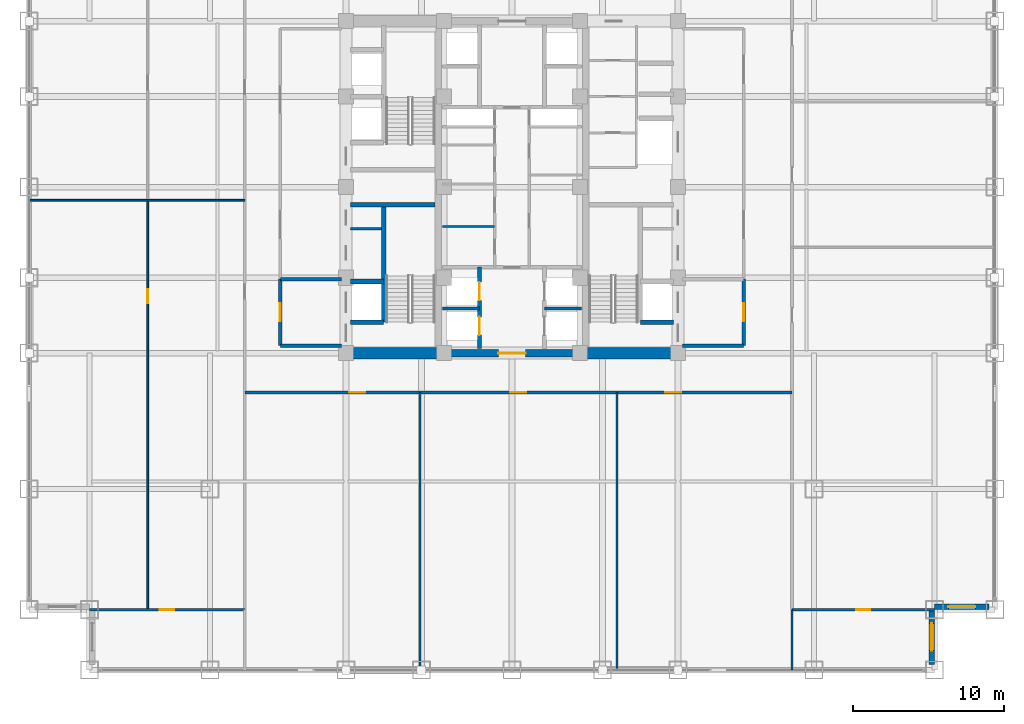
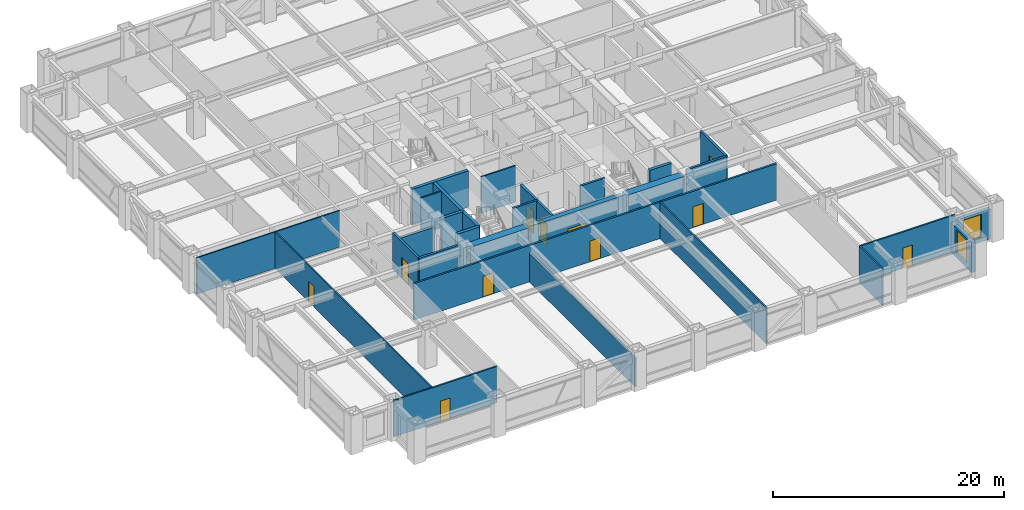
# One storey, part 23 of 27: 28 walls, 11 doors, 2 windows, 13 openings.
"""IFC4 building model written with IfcOpenShell, lengths in metres."""

import ifcopenshell
import ifcopenshell.guid

model = None  # the IFC model being written
_history = None  # IfcOwnerHistory: only IFC2X3 demands one
_inside = {}  # id of a spatial element -> (the spatial element, [elements in it])
_under = {}  # id of a project, library or spatial element -> (it, [spatial elements below it])
_declared = {}  # id of a project -> (the project, [libraries it declares])
_typed = {}  # id of a type object -> (the type object, [elements of that type])
_made_of = {}  # id of a material, layer set ... -> (it, [elements and type objects made of it])


def new_model(schema):
    """Start an empty IFC model of exactly this schema.

    Asked for "IFC4X3", IfcOpenShell would pick the latest addendum, in which some entities
    have other attributes; the version numbers below select the first issue.
    IFC2X3 requires an IfcOwnerHistory on every rooted entity: one is made here for all.
    """
    global model, _history
    if schema == "IFC4X3":
        model = ifcopenshell.file(schema_version=(4, 3, 0, 0))
    else:
        model = ifcopenshell.file(schema=schema)
    _inside.clear()
    _under.clear()
    _declared.clear()
    _typed.clear()
    _made_of.clear()
    _history = None
    if model.schema == "IFC2X3":
        org = make("IfcOrganization", Name="unknown")
        user = make(
            "IfcPersonAndOrganization",
            ThePerson=make("IfcPerson", FamilyName="unknown"),
            TheOrganization=org,
        )
        app = make(
            "IfcApplication",
            ApplicationDeveloper=org,
            Version="unknown",
            ApplicationFullName="unknown",
            ApplicationIdentifier="unknown",
        )
        _history = make(
            "IfcOwnerHistory",
            OwningUser=user,
            OwningApplication=app,
            ChangeAction="ADDED",
            CreationDate=0,
        )
    return model


def make(cls, **values):
    """One entity of the class cls with the attributes given. An attribute that is None is left unset."""
    return model.create_entity(
        cls, **{name: value for name, value in values.items() if value is not None}
    )


def rooted(cls, **values):
    """An entity with a GlobalId (a new one), such as an element, a storey or a relation."""
    return make(cls, GlobalId=ifcopenshell.guid.new(), OwnerHistory=_history, **values)


def si_unit(unit_type, name, prefix=None):
    """IfcSIUnit, for example si_unit("LENGTHUNIT", "METRE", prefix="MILLI")."""
    return make("IfcSIUnit", UnitType=unit_type, Prefix=prefix, Name=name)


def assignment(units):
    """IfcUnitAssignment: the units of a project."""
    return None if units is None else make("IfcUnitAssignment", Units=units)


def point(xyz):
    """IfcCartesianPoint."""
    return None if xyz is None else make("IfcCartesianPoint", Coordinates=xyz)


def direction(xyz):
    """IfcDirection."""
    return None if xyz is None else make("IfcDirection", DirectionRatios=xyz)


def frame(location, z_axis=None, x_axis=None):
    """IfcAxis2Placement3D, a coordinate frame: its origin and axes. An axis left out is left unset."""
    return make(
        "IfcAxis2Placement3D",
        Location=point(location),
        Axis=direction(z_axis),
        RefDirection=direction(x_axis),
    )


def frame_2d(location, x_axis=None):
    """IfcAxis2Placement2D, a coordinate frame in the plane: its origin and x axis."""
    return make(
        "IfcAxis2Placement2D", Location=point(location), RefDirection=direction(x_axis)
    )


def origin():
    """The frame at (0, 0, 0) with its axes left unset."""
    return frame((0.0, 0.0, 0.0))


def place(relative_to, where):
    """IfcLocalPlacement: puts the frame where relative to a parent placement (None: the world)."""
    return make(
        "IfcLocalPlacement", PlacementRelTo=relative_to, RelativePlacement=where
    )


def context(
    kind, dimensions, precision=None, world=None, true_north=None, identifier=None
):
    """IfcGeometricRepresentationContext, for example the 3D "Model" context."""
    return make(
        "IfcGeometricRepresentationContext",
        ContextIdentifier=identifier,
        ContextType=kind,
        CoordinateSpaceDimension=dimensions,
        Precision=precision,
        WorldCoordinateSystem=world,
        TrueNorth=true_north,
    )


def subcontext(parent, identifier, kind, view, scale=None):
    """IfcGeometricRepresentationSubContext, for example "Body" below "Model"."""
    return make(
        "IfcGeometricRepresentationSubContext",
        ContextIdentifier=identifier,
        ContextType=kind,
        ParentContext=parent,
        TargetScale=scale,
        TargetView=view,
    )


def project(units=None, contexts=None):
    """IfcProject with its units and contexts."""
    return rooted(
        "IfcProject",
        Name="project",
        RepresentationContexts=contexts,
        UnitsInContext=assignment(units),
    )


def spatial(cls, under=None, at=None, **own):
    """A site, building, storey or space (cls), placed at a placement, below another one or the project."""
    s = rooted(cls, ObjectPlacement=at, **own)
    if under is not None:
        _under.setdefault(under.id(), (under, []))[1].append(s)
    return s


def profile(cls, at=None, kind="AREA", **sizes):
    """A parametric profile (cls). Its sizes go by their IFC names, for example OverallWidth=200.0."""
    return make(cls, ProfileType=kind, Position=at, **sizes)


def rectangle(**sizes):
    """IfcRectangleProfileDef."""
    return profile("IfcRectangleProfileDef", **sizes)


def extrude(swept, where, along, depth):
    """IfcExtrudedAreaSolid: the profile swept, set in the frame where, extruded along a direction by depth."""
    return make(
        "IfcExtrudedAreaSolid",
        SweptArea=swept,
        Position=where,
        ExtrudedDirection=direction(along),
        Depth=depth,
    )


def shape(context_of_items, identifier, shape_type, items):
    """IfcShapeRepresentation: the items that make up one representation, for example the "Body"."""
    return make(
        "IfcShapeRepresentation",
        ContextOfItems=context_of_items,
        RepresentationIdentifier=identifier,
        RepresentationType=shape_type,
        Items=items,
    )


def source(mapping_origin, context_of_items, identifier, shape_type, items):
    """IfcRepresentationMap: a shape defined once, which mapped items show again and again."""
    return make(
        "IfcRepresentationMap",
        MappingOrigin=mapping_origin,
        MappedRepresentation=shape(context_of_items, identifier, shape_type, items),
    )


def transform(
    local_origin,
    x_axis=None,
    y_axis=None,
    z_axis=None,
    scale=None,
    scale2=None,
    scale3=None,
    uniform=True,
):
    """IfcCartesianTransformationOperator3D, or its non-uniform kind. x_axis, y_axis, z_axis: its Axis1, 2, 3."""
    if uniform:
        return make(
            "IfcCartesianTransformationOperator3D",
            Axis1=direction(x_axis),
            Axis2=direction(y_axis),
            LocalOrigin=point(local_origin),
            Scale=scale,
            Axis3=direction(z_axis),
        )
    return make(
        "IfcCartesianTransformationOperator3DnonUniform",
        Axis1=direction(x_axis),
        Axis2=direction(y_axis),
        LocalOrigin=point(local_origin),
        Scale=scale,
        Axis3=direction(z_axis),
        Scale2=scale2,
        Scale3=scale3,
    )


def mapped(mapping_source, mapping_target):
    """IfcMappedItem: shows the shape of a source again, moved by a transform."""
    return make(
        "IfcMappedItem", MappingSource=mapping_source, MappingTarget=mapping_target
    )


def material(Name=None, Category=None):
    """IfcMaterial."""
    return make("IfcMaterial", Name=Name, Category=Category)


def layer(
    of_material, thickness, ventilated=None, Name=None, Category=None, Priority=None
):
    """IfcMaterialLayer: one layer of a wall or slab, of a material (None: an air gap)."""
    return make(
        "IfcMaterialLayer",
        Material=of_material,
        LayerThickness=thickness,
        IsVentilated=ventilated,
        Name=Name,
        Category=Category,
        Priority=Priority,
    )


def layer_set(layers, Name=None):
    """IfcMaterialLayerSet."""
    return make("IfcMaterialLayerSet", MaterialLayers=layers, LayerSetName=Name)


def made_of(thing, what):
    """Note that an element or type object is made of a material, layer set ...; save() writes the relation."""
    if what is not None:
        _made_of.setdefault(what.id(), (what, []))[1].append(thing)
    return thing


def type_object(cls, material=None, **own):
    """A type object (cls), such as IfcWallType, which elements share."""
    return made_of(rooted(cls, **own), material)


def element(
    cls,
    number,
    at=None,
    inside=None,
    cuts=None,
    type_object=None,
    material=None,
    context=None,
    identifier="Body",
    shape_type=None,
    held_by="IfcProductDefinitionShape",
    body=None,
    shapes=None,
    **own,
):
    """One element of the class cls, such as IfcWall. Its Tag is "e" and its number.

    at: its placement. inside: the storey or other place that contains it. cuts: it is an
    opening in that element (IfcRelVoidsElement). A single representation is given by context,
    identifier, shape_type and body (its items); several are given by shapes. held_by: the class
    of the entity that holds the representations. save() writes the other relations.
    """
    e = rooted(cls, Tag="e%d" % number, ObjectPlacement=at, **own)
    if body is not None:
        shapes = [shape(context, identifier, shape_type, body)]
    if shapes is not None:
        e.Representation = make(held_by, Representations=shapes)
    if inside is not None:
        _inside.setdefault(inside.id(), (inside, []))[1].append(e)
    if cuts is not None:
        rooted(
            "IfcRelVoidsElement", RelatingBuildingElement=cuts, RelatedOpeningElement=e
        )
    if type_object is not None:
        _typed.setdefault(type_object.id(), (type_object, []))[1].append(e)
    return made_of(e, material)


def fill(opening, filler):
    """IfcRelFillsElement: the door or window that sits in an opening."""
    return rooted(
        "IfcRelFillsElement",
        RelatingOpeningElement=opening,
        RelatedBuildingElement=filler,
    )


def aggregate(whole, parts):
    """IfcRelAggregates: a whole, such as a stair, and the parts it consists of."""
    return rooted("IfcRelAggregates", RelatingObject=whole, RelatedObjects=parts)


def save(model, path):
    """Write the relations noted so far, then the file.

    IfcRelAggregates (storeys below a building ...), IfcRelContainedInSpatialStructure (elements
    in a storey), IfcRelDefinesByType, IfcRelAssociatesMaterial and IfcRelDeclares: one each for
    every whole, place, type object, material and project.
    """
    for whole, parts in _under.values():
        aggregate(whole, parts)
    for where, things in _inside.values():
        rooted(
            "IfcRelContainedInSpatialStructure",
            RelatedElements=things,
            RelatingStructure=where,
        )
    for kind, things in _typed.values():
        rooted("IfcRelDefinesByType", RelatedObjects=things, RelatingType=kind)
    for what, things in _made_of.values():
        rooted("IfcRelAssociatesMaterial", RelatedObjects=things, RelatingMaterial=what)
    for by, libraries in _declared.values():
        rooted("IfcRelDeclares", RelatingContext=by, RelatedDefinitions=libraries)
    model.write(path)


model = new_model("IFC4")

# Units and contexts
model_context = context("Model", 3, precision=1e-05, world=origin(), true_north=direction((0.0, 1.0)))
body_context = subcontext(model_context, "Body", "Model", "MODEL_VIEW")
ifc_project = project(units=[si_unit("LENGTHUNIT", "METRE"), si_unit("AREAUNIT", "SQUARE_METRE"), si_unit("VOLUMEUNIT", "CUBIC_METRE"), si_unit("PLANEANGLEUNIT", "RADIAN"), si_unit("MASSUNIT", "GRAM", prefix="KILO")], contexts=[model_context])

# Site, building, storey
site_placement = place(None, origin())
site = spatial("IfcSite", under=ifc_project, at=site_placement, CompositionType="ELEMENT")
building_placement = place(site_placement, origin())
building = spatial("IfcBuilding", under=site, at=building_placement, Name="Khorayat Bourse Tower", CompositionType="ELEMENT")
storey_placement = place(building_placement, frame((0.0, 0.0, 103.699951171875)))
storey = spatial("IfcBuildingStorey", under=building, at=storey_placement, Name="L23", CompositionType="ELEMENT", Elevation=103.699951171875)

# Walls
ifc_material_1 = material(Name="Concrete C72/90", Category="concrete")
ifc_layer_1 = layer(ifc_material_1, 0.75)
ifc_layer_set_1 = layer_set([ifc_layer_1], Name="Concrete C72/90")
wall_type_1 = type_object("IfcWallType", Name="WAL-CORE-750", PredefinedType="SHEAR", material=ifc_layer_set_1)
shared_shape_1 = source(origin(), body_context, "Body", "SweptSolid", [
    extrude(rectangle(XDim=5.849853515625, YDim=0.75, at=frame_2d((2.9248046875, 0.0))), origin(), (0.0, 0.0, 1.0), 3.840087890625),
])
for number, where, z_axis, x_axis, name in (
    (1, (-10.699951171875, -11.0, 0.0), (0.0, 0.0, 1.0), (1.0, 0.0, 0.0), "L23 Core Shear Wall PIER-WS"),
    (2, (4.85009765625, -11.0, 0.0), (0.0, 0.0, 1.0), (1.0, 0.0, 0.0), "L23 Core Shear Wall PIER-ES"),
):
    element("IfcWall", number, at=place(storey_placement, frame(where, z_axis=z_axis, x_axis=x_axis)), inside=storey, type_object=wall_type_1, Name=name, PredefinedType="SHEAR", context=body_context, shape_type="MappedRepresentation", body=[
        mapped(shared_shape_1, transform((0.0, 0.0, 0.0), scale=1.0)),
    ])
ifc_material_2 = material(Name="Concrete C50/60", Category="concrete")
ifc_layer_2 = layer(ifc_material_2, 0.300048828125)
ifc_layer_set_2 = layer_set([ifc_layer_2], Name="Concrete C50/60")
wall_type_2 = type_object("IfcWallType", Name="WAL-SHAFT-300", PredefinedType="SHEAR", material=ifc_layer_set_2)
shared_shape_2 = source(origin(), body_context, "Body", "SweptSolid", [
    extrude(rectangle(XDim=5.599853515625, YDim=0.300048828125, at=frame_2d((2.7998046875, 0.0))), origin(), (0.0, 0.0, 1.0), 3.840087890625),
])
wall_1_placement = place(storey_placement, frame((-10.699951171875, -1.14990234375, 0.0), z_axis=(0.0, 0.0, 1.0), x_axis=(1.0, 0.0, 0.0)))
element("IfcWall", 3, at=wall_1_placement, inside=storey, type_object=wall_type_2, Name="L23 Core Shear Wall ST1-DIV", PredefinedType="SHEAR", context=body_context, shape_type="MappedRepresentation", body=[
    mapped(shared_shape_2, transform((0.0, 0.0, 0.0), scale=1.0)),
])

# Wall, opening, door
ifc_material_3 = material(Name="Concrete C52/65", Category="concrete")
ifc_layer_3 = layer(ifc_material_3, 0.5)
ifc_layer_set_3 = layer_set([ifc_layer_3], Name="Concrete C52/65")
wall_type_3 = type_object("IfcWallType", Name="WAL-CORE-500", PredefinedType="SHEAR", material=ifc_layer_set_3)
shared_shape_3 = source(origin(), body_context, "Body", "SweptSolid", [
    extrude(rectangle(XDim=9.2001953125, YDim=0.5, at=frame_2d((4.60009765625, 0.0))), origin(), (0.0, 0.0, 1.0), 3.840087890625),
])
wall_2_placement = place(storey_placement, frame((-4.60009765625, -11.0, 0.0), z_axis=(0.0, 0.0, 1.0), x_axis=(1.0, 0.0, 0.0)))
wall_2 = element("IfcWall", 4, at=wall_2_placement, inside=storey, type_object=wall_type_3, Name="L23 Core Shear Wall CORE-S", PredefinedType="SHEAR", context=body_context, shape_type="MappedRepresentation", body=[
    mapped(shared_shape_3, transform((0.0, 0.0, 0.0), scale=1.0)),
])
shared_shape_4 = source(origin(), body_context, "Body", "SweptSolid", [
    extrude(rectangle(XDim=1.800048828125, YDim=2.25, at=frame_2d((0.89990234375, 1.125))), frame((0.0, 0.260009765625, 0.0), z_axis=(0.0, -1.0, 0.0), x_axis=(1.0, 0.0, 0.0)), (0.0, 0.0, 1.0), 0.52001953125),
])
opening_1_placement = place(wall_2_placement, frame((3.699951171875, 0.0, 0.0)))
opening_1 = element("IfcOpeningElement", 5, at=opening_1_placement, cuts=wall_2, Name="Opening DI-03", PredefinedType="OPENING", context=body_context, shape_type="MappedRepresentation", body=[
    mapped(shared_shape_4, transform((0.0, 0.0, 0.0), scale=1.0)),
])
ifc_material_4 = material(Name="Fire-rated hardwood vision-panel double leaf", Category="wood")
door_type_1 = type_object("IfcDoorType", Name="DR-INT-CORR-1800", OperationType="NOTDEFINED", PredefinedType="DOOR", material=ifc_material_4)
shared_shape_5 = source(origin(), body_context, "Body", "SweptSolid", [
    extrude(rectangle(XDim=1.800048828125, YDim=2.25, at=frame_2d((0.89990234375, 1.125))), frame((0.0, 0.02490234375, 0.0), z_axis=(0.0, -1.0, 0.0), x_axis=(1.0, 0.0, 0.0)), (0.0, 0.0, 1.0), 0.050048828125),
])
door_1_placement = place(opening_1_placement, origin())
door_1 = element("IfcDoor", 6, at=door_1_placement, inside=storey, type_object=door_type_1, Name="L23 Low-Rise Lift Lobby Door", OperationType="SINGLE_SWING_LEFT", OverallHeight=2.25, OverallWidth=1.800048828125, PredefinedType="DOOR", context=body_context, shape_type="MappedRepresentation", body=[
    mapped(shared_shape_5, transform((0.0, 0.0, 0.0), scale=1.0)),
])
fill(opening_1, door_1)

# Wall, opening, window
ifc_material_5 = material(Name="Precast concrete C45/55", Category="concrete")
ifc_layer_4 = layer(ifc_material_5, 0.3798828125)
ifc_layer_set_4 = layer_set([ifc_layer_4], Name="Precast concrete C45/55")
wall_type_4 = type_object("IfcWallType", Name="WAL-EXT-STONE-380", PredefinedType="STANDARD", material=ifc_layer_set_4)
shared_shape_6 = source(origin(), body_context, "Body", "SweptSolid", [
    extrude(rectangle(XDim=3.6201171875, YDim=0.3798828125, at=frame_2d((1.81005859375, 0.0))), origin(), (0.0, 0.0, 1.0), 3.14501953125),
])
wall_3_placement = place(storey_placement, frame((27.81005859375, -31.6201171875, 0.0), z_axis=(0.0, 0.0, 1.0), x_axis=(0.0, 1.0, 0.0)))
wall_3 = element("IfcWall", 7, at=wall_3_placement, inside=storey, type_object=wall_type_4, Name="L23 Re-Entrant Notch Limestone Wall SE-V", PredefinedType="STANDARD", context=body_context, shape_type="MappedRepresentation", body=[
    mapped(shared_shape_6, transform((0.0, 0.0, 0.0), scale=1.0)),
])
shared_shape_7 = source(origin(), body_context, "Body", "SweptSolid", [
    extrude(rectangle(XDim=1.800048828125, YDim=2.39990234375, at=frame_2d((0.89990234375, 1.199951171875))), frame((0.0, 0.199951171875, 0.0), z_axis=(0.0, -1.0, 0.0), x_axis=(1.0, 0.0, 0.0)), (0.0, 0.0, 1.0), 0.39990234375),
])
opening_2_placement = place(wall_3_placement, frame((0.909912109375, 0.0, 0.5)))
opening_2 = element("IfcOpeningElement", 8, at=opening_2_placement, cuts=wall_3, Name="Opening WN-04", PredefinedType="OPENING", context=body_context, shape_type="MappedRepresentation", body=[
    mapped(shared_shape_7, transform((0.0, 0.0, 0.0), scale=1.0)),
])
ifc_material_6 = material(Name="Low-E acoustic laminated double glazing", Category="glass")
window_type = type_object("IfcWindowType", Name="WIN-NOTCH-1800x2400", PartitioningType="SINGLE_PANEL", PredefinedType="WINDOW", material=ifc_material_6)
shared_shape_8 = source(origin(), body_context, "Body", "SweptSolid", [
    extrude(rectangle(XDim=1.800048828125, YDim=2.39990234375, at=frame_2d((0.89990234375, 1.199951171875))), frame((0.0, 0.030029296875, 0.0), z_axis=(0.0, -1.0, 0.0), x_axis=(1.0, 0.0, 0.0)), (0.0, 0.0, 1.0), 0.06005859375),
])
window_1_placement = place(opening_2_placement, origin())
window_1 = element("IfcWindow", 9, at=window_1_placement, inside=storey, type_object=window_type, Name="L23 Facade Window 1", OverallHeight=2.39990234375, OverallWidth=1.800048828125, PartitioningType="SINGLE_PANEL", PredefinedType="WINDOW", context=body_context, shape_type="MappedRepresentation", body=[
    mapped(shared_shape_8, transform((0.0, 0.0, 0.0), scale=1.0)),
])
fill(opening_2, window_1)

wall_4_placement = place(storey_placement, frame((28.0, -27.81005859375, 0.0), z_axis=(0.0, 0.0, 1.0), x_axis=(1.0, 0.0, 0.0)))
wall_4 = element("IfcWall", 10, at=wall_4_placement, inside=storey, type_object=wall_type_4, Name="L23 Re-Entrant Notch Limestone Wall SE-H", PredefinedType="STANDARD", context=body_context, shape_type="MappedRepresentation", body=[
    mapped(shared_shape_6, transform((0.0, 0.0, 0.0), scale=1.0)),
])
opening_3_placement = place(wall_4_placement, frame((0.909912109375, 0.0, 0.5)))
opening_3 = element("IfcOpeningElement", 11, at=opening_3_placement, cuts=wall_4, Name="Opening WN-04", PredefinedType="OPENING", context=body_context, shape_type="MappedRepresentation", body=[
    mapped(shared_shape_7, transform((0.0, 0.0, 0.0), scale=1.0)),
])
window_2_placement = place(opening_3_placement, origin())
window_2 = element("IfcWindow", 12, at=window_2_placement, inside=storey, type_object=window_type, Name="L23 Facade Window 1", OverallHeight=2.39990234375, OverallWidth=1.800048828125, PartitioningType="SINGLE_PANEL", PredefinedType="WINDOW", context=body_context, shape_type="MappedRepresentation", body=[
    mapped(shared_shape_8, transform((0.0, 0.0, 0.0), scale=1.0)),
])
fill(opening_3, window_2)

# Walls
shared_shape_9 = source(origin(), body_context, "Body", "SweptSolid", [
    extrude(rectangle(XDim=7.800048828125, YDim=0.300048828125, at=frame_2d((3.89990234375, 0.0))), origin(), (0.0, 0.0, 1.0), 3.840087890625),
])
wall_5_placement = place(storey_placement, frame((-8.5, -8.949951171875, 0.0), z_axis=(0.0, 0.0, 1.0), x_axis=(0.0, 1.0, 0.0)))
element("IfcWall", 13, at=wall_5_placement, inside=storey, type_object=wall_type_2, Name="L23 Partition WAL-L23-WPIER-SP", PredefinedType="SHEAR", context=body_context, shape_type="MappedRepresentation", body=[
    mapped(shared_shape_9, transform((0.0, 0.0, 0.0), scale=1.0)),
])
shared_shape_10 = source(origin(), body_context, "Body", "SweptSolid", [
    extrude(rectangle(XDim=2.199951171875, YDim=0.300048828125, at=frame_2d((1.10009765625, 0.0))), origin(), (0.0, 0.0, 1.0), 3.840087890625),
])
for number, where, z_axis, x_axis, name in (
    (14, (-10.699951171875, -8.949951171875, 0.0), (0.0, 0.0, 1.0), (1.0, 0.0, 0.0), "L23 Partition WAL-L23-WPIER-FF1S"),
    (15, (-10.699951171875, -6.25, 0.0), (0.0, 0.0, 1.0), (1.0, 0.0, 0.0), "L23 Partition WAL-L23-WPIER-FF1N"),
    (16, (8.5, -8.949951171875, 0.0), (0.0, 0.0, 1.0), (1.0, 0.0, 0.0), "L23 Partition WAL-L23-EPIER-FF2S"),
):
    element("IfcWall", number, at=place(storey_placement, frame(where, z_axis=z_axis, x_axis=x_axis)), inside=storey, type_object=wall_type_2, Name=name, PredefinedType="SHEAR", context=body_context, shape_type="MappedRepresentation", body=[
        mapped(shared_shape_10, transform((0.0, 0.0, 0.0), scale=1.0)),
    ])
ifc_material_7 = material(Name="Gypsum plasterboard twin-frame partition")
ifc_layer_5 = layer(ifc_material_7, 0.14990234375)
ifc_layer_set_5 = layer_set([ifc_layer_5], Name="Gypsum plasterboard twin-frame partition")
wall_type_5 = type_object("IfcWallType", Name="WAL-PART-SUITE-150", PredefinedType="PARTITIONING", material=ifc_layer_set_5)
shared_shape_11 = source(origin(), body_context, "Body", "SweptSolid", [
    extrude(rectangle(XDim=2.050048828125, YDim=0.14990234375, at=frame_2d((1.02490234375, 0.0))), origin(), (0.0, 0.0, 1.0), 3.840087890625),
])
wall_6_placement = place(storey_placement, frame((-10.699951171875, -2.75, 0.0), z_axis=(0.0, 0.0, 1.0), x_axis=(1.0, 0.0, 0.0)))
element("IfcWall", 17, at=wall_6_placement, inside=storey, type_object=wall_type_5, Name="L23 Partition WAL-L23-WSRV-D1", PredefinedType="PARTITIONING", context=body_context, shape_type="MappedRepresentation", body=[
    mapped(shared_shape_11, transform((0.0, 0.0, 0.0), scale=1.0)),
])
ifc_material_8 = material(Name="Aerated concrete blockwork", Category="masonry")
ifc_layer_6 = layer(ifc_material_8, 0.219970703125)
ifc_layer_set_6 = layer_set([ifc_layer_6], Name="Aerated concrete blockwork")
wall_type_6 = type_object("IfcWallType", Name="WAL-PART-FF-220", PredefinedType="PARTITIONING", material=ifc_layer_set_6)
shared_shape_12 = source(origin(), body_context, "Body", "SweptSolid", [
    extrude(rectangle(XDim=4.050048828125, YDim=0.219970703125, at=frame_2d((2.02490234375, 0.0))), origin(), (0.0, 0.0, 1.0), 3.840087890625),
])
for number, where, z_axis, x_axis, name in (
    (18, (-15.35009765625, -10.5, 0.0), (0.0, 0.0, 1.0), (1.0, 0.0, 0.0), "L23 Partition WAL-L23-FFLW-S"),
    (19, (11.300048828125, -10.5, 0.0), (0.0, 0.0, 1.0), (1.0, 0.0, 0.0), "L23 Partition WAL-L23-FFLE-S"),
):
    element("IfcWall", number, at=place(storey_placement, frame(where, z_axis=z_axis, x_axis=x_axis)), inside=storey, type_object=wall_type_6, Name=name, PredefinedType="PARTITIONING", context=body_context, shape_type="MappedRepresentation", body=[
        mapped(shared_shape_12, transform((0.0, 0.0, 0.0), scale=1.0)),
    ])
shared_shape_13 = source(origin(), body_context, "Body", "SweptSolid", [
    extrude(rectangle(XDim=4.050048828125, YDim=0.219970703125, at=frame_2d((2.02490234375, 0.0))), origin(), (0.0, 0.0, 1.0), 3.067138671875),
])
wall_7_placement = place(storey_placement, frame((-15.35009765625, -6.10009765625, 0.0), z_axis=(0.0, 0.0, 1.0), x_axis=(1.0, 0.0, 0.0)))
element("IfcWall", 20, at=wall_7_placement, inside=storey, type_object=wall_type_6, Name="L23 Partition WAL-L23-FFLW-N", PredefinedType="PARTITIONING", context=body_context, shape_type="MappedRepresentation", body=[
    mapped(shared_shape_13, transform((0.0, 0.0, 0.0), scale=1.0)),
])

# Wall, opening, door
shared_shape_14 = source(origin(), body_context, "Body", "SweptSolid", [
    extrude(rectangle(XDim=4.39990234375, YDim=0.219970703125, at=frame_2d((2.199951171875, 0.0))), origin(), (0.0, 0.0, 1.0), 3.840087890625),
])
wall_8_placement = place(storey_placement, frame((-15.35009765625, -10.5, 0.0), z_axis=(0.0, 0.0, 1.0), x_axis=(0.0, 1.0, 0.0)))
wall_8 = element("IfcWall", 21, at=wall_8_placement, inside=storey, type_object=wall_type_6, Name="L23 Partition WAL-L23-FFLW-W", PredefinedType="PARTITIONING", context=body_context, shape_type="MappedRepresentation", body=[
    mapped(shared_shape_14, transform((0.0, 0.0, 0.0), scale=1.0)),
])
shared_shape_15 = source(origin(), body_context, "Body", "SweptSolid", [
    extrude(rectangle(XDim=1.199951171875, YDim=2.199951171875, at=frame_2d((0.60009765625, 1.10009765625))), frame((0.0, 0.119873046875, 0.0), z_axis=(0.0, -1.0, 0.0), x_axis=(1.0, 0.0, 0.0)), (0.0, 0.0, 1.0), 0.239990234375),
])
opening_4_placement = place(wall_8_placement, frame((1.60009765625, 0.0, 0.0)))
opening_4 = element("IfcOpeningElement", 22, at=opening_4_placement, cuts=wall_8, Name="Opening DI-02", PredefinedType="OPENING", context=body_context, shape_type="MappedRepresentation", body=[
    mapped(shared_shape_15, transform((0.0, 0.0, 0.0), scale=1.0)),
])
ifc_material_9 = material(Name="Fire-rated steel double-seal leaf", Category="steel")
door_type_2 = type_object("IfcDoorType", Name="DR-INT-FFLOBBY-1200", OperationType="NOTDEFINED", PredefinedType="DOOR", material=ifc_material_9)
shared_shape_16 = source(origin(), body_context, "Body", "SweptSolid", [
    extrude(rectangle(XDim=1.199951171875, YDim=2.199951171875, at=frame_2d((0.60009765625, 1.10009765625))), frame((0.0, 0.02490234375, 0.0), z_axis=(0.0, -1.0, 0.0), x_axis=(1.0, 0.0, 0.0)), (0.0, 0.0, 1.0), 0.050048828125),
])
door_2_placement = place(opening_4_placement, origin())
door_2 = element("IfcDoor", 23, at=door_2_placement, inside=storey, type_object=door_type_2, Name="L23 West Firefighting Lobby Door", OperationType="SINGLE_SWING_LEFT", OverallHeight=2.199951171875, OverallWidth=1.199951171875, PredefinedType="DOOR", context=body_context, shape_type="MappedRepresentation", body=[
    mapped(shared_shape_16, transform((0.0, 0.0, 0.0), scale=1.0)),
])
fill(opening_4, door_2)

wall_9_placement = place(storey_placement, frame((15.35009765625, -10.5, 0.0), z_axis=(0.0, 0.0, 1.0), x_axis=(0.0, 1.0, 0.0)))
wall_9 = element("IfcWall", 24, at=wall_9_placement, inside=storey, type_object=wall_type_6, Name="L23 Partition WAL-L23-FFLE-E", PredefinedType="PARTITIONING", context=body_context, shape_type="MappedRepresentation", body=[
    mapped(shared_shape_14, transform((0.0, 0.0, 0.0), scale=1.0)),
])
opening_5_placement = place(wall_9_placement, frame((1.60009765625, 0.0, 0.0)))
opening_5 = element("IfcOpeningElement", 25, at=opening_5_placement, cuts=wall_9, Name="Opening DI-02", PredefinedType="OPENING", context=body_context, shape_type="MappedRepresentation", body=[
    mapped(shared_shape_15, transform((0.0, 0.0, 0.0), scale=1.0)),
])
door_3_placement = place(opening_5_placement, origin())
door_3 = element("IfcDoor", 26, at=door_3_placement, inside=storey, type_object=door_type_2, Name="L23 East Firefighting Lobby Door", OperationType="SINGLE_SWING_RIGHT", OverallHeight=2.199951171875, OverallWidth=1.199951171875, PredefinedType="DOOR", context=body_context, shape_type="MappedRepresentation", body=[
    mapped(shared_shape_16, transform((0.0, 0.0, 0.0), scale=1.0)),
])
fill(opening_5, door_3)

# Wall, openings, doors
shared_shape_17 = source(origin(), body_context, "Body", "SweptSolid", [
    extrude(rectangle(XDim=5.39990234375, YDim=0.25, at=frame_2d((2.699951171875, 0.0))), origin(), (0.0, 0.0, 1.0), 3.840087890625),
])
wall_10_placement = place(storey_placement, frame((-2.14990234375, -10.699951171875, 0.0), z_axis=(0.0, 0.0, 1.0), x_axis=(0.0, 1.0, 0.0)))
wall_10 = element("IfcWall", 27, at=wall_10_placement, inside=storey, type_object=wall_type_2, Name="L23 Partition WAL-L23-B1-W", PredefinedType="SHEAR", context=body_context, shape_type="MappedRepresentation", body=[
    mapped(shared_shape_17, transform((0.0, 0.0, 0.0), scale=1.0)),
])
shared_shape_18 = source(origin(), body_context, "Body", "SweptSolid", [
    extrude(rectangle(XDim=1.199951171875, YDim=2.300048828125, at=frame_2d((0.60009765625, 1.14990234375))), frame((0.0, 0.135009765625, 0.0), z_axis=(0.0, -1.0, 0.0), x_axis=(1.0, 0.0, 0.0)), (0.0, 0.0, 1.0), 0.27001953125),
])
opening_6_placement = place(wall_10_placement, frame((0.89990234375, 0.0, 0.0)))
opening_6 = element("IfcOpeningElement", 28, at=opening_6_placement, cuts=wall_10, Name="Opening LD-01", PredefinedType="OPENING", context=body_context, shape_type="MappedRepresentation", body=[
    mapped(shared_shape_18, transform((0.0, 0.0, 0.0), scale=1.0)),
])
opening_7_placement = place(wall_10_placement, frame((3.199951171875, 0.0, 0.0)))
opening_7 = element("IfcOpeningElement", 29, at=opening_7_placement, cuts=wall_10, Name="Opening LD-01", PredefinedType="OPENING", context=body_context, shape_type="MappedRepresentation", body=[
    mapped(shared_shape_18, transform((0.0, 0.0, 0.0), scale=1.0)),
])
ifc_material_10 = material(Name="Brushed bronze stainless-steel sliding door", Category="steel")
door_type_3 = type_object("IfcDoorType", Name="DR-LIFT-PASS-1200", OperationType="NOTDEFINED", PredefinedType="DOOR", material=ifc_material_10)
shared_shape_19 = source(origin(), body_context, "Body", "SweptSolid", [
    extrude(rectangle(XDim=1.199951171875, YDim=2.300048828125, at=frame_2d((0.60009765625, 1.14990234375))), frame((0.0, 0.02490234375, 0.0), z_axis=(0.0, -1.0, 0.0), x_axis=(1.0, 0.0, 0.0)), (0.0, 0.0, 1.0), 0.050048828125),
])
door_4_placement = place(opening_6_placement, origin())
door_4 = element("IfcDoor", 30, at=door_4_placement, inside=storey, type_object=door_type_3, Name="L23 Lift PL-L1 Sliding Landing Door", OperationType="SLIDING_TO_LEFT", OverallHeight=2.300048828125, OverallWidth=1.199951171875, PredefinedType="DOOR", context=body_context, shape_type="MappedRepresentation", body=[
    mapped(shared_shape_19, transform((0.0, 0.0, 0.0), scale=1.0)),
])
fill(opening_6, door_4)
door_5_placement = place(opening_7_placement, origin())
door_5 = element("IfcDoor", 31, at=door_5_placement, inside=storey, type_object=door_type_3, Name="L23 Lift PL-L3 Sliding Landing Door", OperationType="SLIDING_TO_LEFT", OverallHeight=2.300048828125, OverallWidth=1.199951171875, PredefinedType="DOOR", context=body_context, shape_type="MappedRepresentation", body=[
    mapped(shared_shape_19, transform((0.0, 0.0, 0.0), scale=1.0)),
])
fill(opening_7, door_5)

# Walls
shared_shape_20 = source(origin(), body_context, "Body", "SweptSolid", [
    extrude(rectangle(XDim=2.4501953125, YDim=0.199951171875, at=frame_2d((1.22509765625, 0.0))), origin(), (0.0, 0.0, 1.0), 3.840087890625),
])
for number, where, z_axis, x_axis, name in (
    (32, (-4.60009765625, -8.050048828125, 0.0), (0.0, 0.0, 1.0), (1.0, 0.0, 0.0), "L23 Partition WAL-L23-B1-MW"),
    (33, (2.14990234375, -8.050048828125, 0.0), (0.0, 0.0, 1.0), (1.0, 0.0, 0.0), "L23 Partition WAL-L23-B1-ME"),
):
    element("IfcWall", number, at=place(storey_placement, frame(where, z_axis=z_axis, x_axis=x_axis)), inside=storey, type_object=wall_type_2, Name=name, PredefinedType="SHEAR", context=body_context, shape_type="MappedRepresentation", body=[
        mapped(shared_shape_20, transform((0.0, 0.0, 0.0), scale=1.0)),
    ])
ifc_material_11 = material(Name="Moisture-resistant masonry partition", Category="masonry")
ifc_layer_7 = layer(ifc_material_11, 0.139892578125)
ifc_layer_set_7 = layer_set([ifc_layer_7], Name="Moisture-resistant masonry partition")
wall_type_7 = type_object("IfcWallType", Name="WAL-PART-WET-140", PredefinedType="PARTITIONING", material=ifc_layer_set_7)
shared_shape_21 = source(origin(), body_context, "Body", "SweptSolid", [
    extrude(rectangle(XDim=3.4501953125, YDim=0.139892578125, at=frame_2d((1.72509765625, 0.0))), origin(), (0.0, 0.0, 1.0), 3.840087890625),
])
wall_11_placement = place(storey_placement, frame((-4.60009765625, -2.60009765625, 0.0), z_axis=(0.0, 0.0, 1.0), x_axis=(1.0, 0.0, 0.0)))
element("IfcWall", 34, at=wall_11_placement, inside=storey, type_object=wall_type_7, Name="L23 Partition WAL-L23-CMW-D1", PredefinedType="PARTITIONING", context=body_context, shape_type="MappedRepresentation", body=[
    mapped(shared_shape_21, transform((0.0, 0.0, 0.0), scale=1.0)),
])
shared_shape_22 = source(origin(), body_context, "Body", "SweptSolid", [
    extrude(rectangle(XDim=4.0, YDim=0.14990234375, at=frame_2d((2.0, 0.0))), origin(), (0.0, 0.0, 1.0), 3.840087890625),
])
wall_12_placement = place(storey_placement, frame((18.550048828125, -32.0, 0.0), z_axis=(0.0, 0.0, 1.0), x_axis=(0.0, 1.0, 0.0)))
element("IfcWall", 35, at=wall_12_placement, inside=storey, type_object=wall_type_5, Name="L23 Partition WAL-L23-SCE-END", PredefinedType="PARTITIONING", context=body_context, shape_type="MappedRepresentation", body=[
    mapped(shared_shape_22, transform((0.0, 0.0, 0.0), scale=1.0)),
])
ifc_material_12 = material(Name="Gypsum plasterboard partition")
ifc_layer_8 = layer(ifc_material_12, 0.125)
ifc_layer_set_8 = layer_set([ifc_layer_8], Name="Gypsum plasterboard partition")
wall_type_8 = type_object("IfcWallType", Name="WAL-PART-ROOM-125", PredefinedType="PARTITIONING", material=ifc_layer_set_8)
shared_shape_23 = source(origin(), body_context, "Body", "SweptSolid", [
    extrude(rectangle(XDim=14.300048828125, YDim=0.125, at=frame_2d((7.14990234375, 0.0))), origin(), (0.0, 0.0, 1.0), 3.840087890625),
])
wall_13_placement = place(storey_placement, frame((-32.0, -0.864990234375, 0.0), z_axis=(0.0, 0.0, 1.0), x_axis=(1.0, 0.0, 0.0)))
element("IfcWall", 36, at=wall_13_placement, inside=storey, type_object=wall_type_8, Name="L23 Partition WAL-L23-WDV-1", PredefinedType="PARTITIONING", context=body_context, shape_type="MappedRepresentation", body=[
    mapped(shared_shape_23, transform((0.0, 0.0, 0.0), scale=1.0)),
])

# Wall, opening, door
shared_shape_24 = source(origin(), body_context, "Body", "SweptSolid", [
    extrude(rectangle(XDim=10.300048828125, YDim=0.14990234375, at=frame_2d((5.14990234375, 0.0))), origin(), (0.0, 0.0, 1.0), 3.840087890625),
])
wall_14_placement = place(storey_placement, frame((-28.0, -28.0, 0.0), z_axis=(0.0, 0.0, 1.0), x_axis=(1.0, 0.0, 0.0)))
wall_14 = element("IfcWall", 37, at=wall_14_placement, inside=storey, type_object=wall_type_5, Name="L23 Partition WAL-L23-CSW", PredefinedType="PARTITIONING", context=body_context, shape_type="MappedRepresentation", body=[
    mapped(shared_shape_24, transform((0.0, 0.0, 0.0), scale=1.0)),
])
shared_shape_25 = source(origin(), body_context, "Body", "SweptSolid", [
    extrude(rectangle(XDim=0.949951171875, YDim=2.14990234375, at=frame_2d((0.47509765625, 1.074951171875))), frame((0.0, 0.0849609375, 0.0), z_axis=(0.0, -1.0, 0.0), x_axis=(1.0, 0.0, 0.0)), (0.0, 0.0, 1.0), 0.169921875),
])
opening_8_placement = place(wall_14_placement, frame((4.675048828125, 0.0, 0.0)))
opening_8 = element("IfcOpeningElement", 38, at=opening_8_placement, cuts=wall_14, Name="Opening DI-05", PredefinedType="OPENING", context=body_context, shape_type="MappedRepresentation", body=[
    mapped(shared_shape_25, transform((0.0, 0.0, 0.0), scale=1.0)),
])
ifc_material_13 = material(Name="Acoustic oak veneer office door")
door_type_4 = type_object("IfcDoorType", Name="DR-INT-OFFICE-950", OperationType="NOTDEFINED", PredefinedType="DOOR", material=ifc_material_13)
shared_shape_26 = source(origin(), body_context, "Body", "SweptSolid", [
    extrude(rectangle(XDim=0.949951171875, YDim=2.14990234375, at=frame_2d((0.47509765625, 1.074951171875))), frame((0.0, 0.02490234375, 0.0), z_axis=(0.0, -1.0, 0.0), x_axis=(1.0, 0.0, 0.0)), (0.0, 0.0, 1.0), 0.050048828125),
])
door_6_placement = place(opening_8_placement, origin())
door_6 = element("IfcDoor", 39, at=door_6_placement, inside=storey, type_object=door_type_4, Name="L23 South-West Corner Office Door", OperationType="SINGLE_SWING_LEFT", OverallHeight=2.14990234375, OverallWidth=0.949951171875, PredefinedType="DOOR", context=body_context, shape_type="MappedRepresentation", body=[
    mapped(shared_shape_26, transform((0.0, 0.0, 0.0), scale=1.0)),
])
fill(opening_8, door_6)

# Walls
shared_shape_27 = source(origin(), body_context, "Body", "SweptSolid", [
    extrude(rectangle(XDim=18.39990234375, YDim=0.14990234375, at=frame_2d((9.199951171875, 0.0))), origin(), (0.0, 0.0, 1.0), 3.067138671875),
])
wall_15_placement = place(storey_placement, frame((-6.10009765625, -32.0, 0.0), z_axis=(0.0, 0.0, 1.0), x_axis=(0.0, 1.0, 0.0)))
element("IfcWall", 40, at=wall_15_placement, inside=storey, type_object=wall_type_5, Name="L23 Partition WAL-L23-SDV-1", PredefinedType="PARTITIONING", context=body_context, shape_type="MappedRepresentation", body=[
    mapped(shared_shape_27, transform((0.0, 0.0, 0.0), scale=1.0)),
])
shared_shape_28 = source(origin(), body_context, "Body", "SweptSolid", [
    extrude(rectangle(XDim=18.39990234375, YDim=0.14990234375, at=frame_2d((9.199951171875, 0.0))), origin(), (0.0, 0.0, 1.0), 3.840087890625),
])
wall_16_placement = place(storey_placement, frame((6.949951171875, -32.0, 0.0), z_axis=(0.0, 0.0, 1.0), x_axis=(0.0, 1.0, 0.0)))
element("IfcWall", 41, at=wall_16_placement, inside=storey, type_object=wall_type_5, Name="L23 Partition WAL-L23-SDV-2", PredefinedType="PARTITIONING", context=body_context, shape_type="MappedRepresentation", body=[
    mapped(shared_shape_28, transform((0.0, 0.0, 0.0), scale=1.0)),
])

# Wall, openings, doors
ifc_material_14 = material(Name="Gypsum plasterboard acoustic stud wall")
ifc_layer_9 = layer(ifc_material_14, 0.179931640625)
ifc_layer_set_9 = layer_set([ifc_layer_9], Name="Gypsum plasterboard acoustic stud wall")
wall_type_9 = type_object("IfcWallType", Name="WAL-PART-CORR-180", PredefinedType="PARTITIONING", material=ifc_layer_set_9)
shared_shape_29 = source(origin(), body_context, "Body", "SweptSolid", [
    extrude(rectangle(XDim=36.25, YDim=0.179931640625, at=frame_2d((18.125, 0.0))), origin(), (0.0, 0.0, 1.0), 3.840087890625),
])
wall_17_placement = place(storey_placement, frame((-17.699951171875, -13.60009765625, 0.0), z_axis=(0.0, 0.0, 1.0), x_axis=(1.0, 0.0, 0.0)))
wall_17 = element("IfcWall", 42, at=wall_17_placement, inside=storey, type_object=wall_type_9, Name="L23 Partition WAL-L23-SCORR", PredefinedType="PARTITIONING", context=body_context, shape_type="MappedRepresentation", body=[
    mapped(shared_shape_29, transform((0.0, 0.0, 0.0), scale=1.0)),
])
shared_shape_30 = source(origin(), body_context, "Body", "SweptSolid", [
    extrude(rectangle(XDim=1.050048828125, YDim=2.199951171875, at=frame_2d((0.52490234375, 1.10009765625))), frame((0.0, 0.099853515625, 0.0), z_axis=(0.0, -1.0, 0.0), x_axis=(1.0, 0.0, 0.0)), (0.0, 0.0, 1.0), 0.199951171875),
])
opening_9_placement = place(wall_17_placement, frame((6.925048828125, 0.0, 0.0)))
opening_9 = element("IfcOpeningElement", 43, at=opening_9_placement, cuts=wall_17, Name="Opening DI-04", PredefinedType="OPENING", context=body_context, shape_type="MappedRepresentation", body=[
    mapped(shared_shape_30, transform((0.0, 0.0, 0.0), scale=1.0)),
])
opening_10_placement = place(wall_17_placement, frame((17.60009765625, 0.0, 0.0)))
opening_10 = element("IfcOpeningElement", 44, at=opening_10_placement, cuts=wall_17, Name="Opening DI-04", PredefinedType="OPENING", context=body_context, shape_type="MappedRepresentation", body=[
    mapped(shared_shape_30, transform((0.0, 0.0, 0.0), scale=1.0)),
])
opening_11_placement = place(wall_17_placement, frame((27.85009765625, 0.0, 0.0)))
opening_11 = element("IfcOpeningElement", 45, at=opening_11_placement, cuts=wall_17, Name="Opening DI-04", PredefinedType="OPENING", context=body_context, shape_type="MappedRepresentation", body=[
    mapped(shared_shape_30, transform((0.0, 0.0, 0.0), scale=1.0)),
])
ifc_material_15 = material(Name="Fire-rated oak veneer suite entrance door")
door_type_5 = type_object("IfcDoorType", Name="DR-INT-SUITE-1050", OperationType="NOTDEFINED", PredefinedType="DOOR", material=ifc_material_15)
shared_shape_31 = source(origin(), body_context, "Body", "SweptSolid", [
    extrude(rectangle(XDim=1.050048828125, YDim=2.199951171875, at=frame_2d((0.52490234375, 1.10009765625))), frame((0.0, 0.02490234375, 0.0), z_axis=(0.0, -1.0, 0.0), x_axis=(1.0, 0.0, 0.0)), (0.0, 0.0, 1.0), 0.050048828125),
])
door_7_placement = place(opening_9_placement, origin())
door_7 = element("IfcDoor", 46, at=door_7_placement, inside=storey, type_object=door_type_5, Name="L23 Executive Boardroom S1 Door", OperationType="SINGLE_SWING_RIGHT", OverallHeight=2.199951171875, OverallWidth=1.050048828125, PredefinedType="DOOR", context=body_context, shape_type="MappedRepresentation", body=[
    mapped(shared_shape_31, transform((0.0, 0.0, 0.0), scale=1.0)),
])
fill(opening_9, door_7)
door_8_placement = place(opening_10_placement, origin())
door_8 = element("IfcDoor", 47, at=door_8_placement, inside=storey, type_object=door_type_5, Name="L23 Market Committee Conference Room S2 Door", OperationType="SINGLE_SWING_LEFT", OverallHeight=2.199951171875, OverallWidth=1.050048828125, PredefinedType="DOOR", context=body_context, shape_type="MappedRepresentation", body=[
    mapped(shared_shape_31, transform((0.0, 0.0, 0.0), scale=1.0)),
])
fill(opening_10, door_8)
door_9_placement = place(opening_11_placement, origin())
door_9 = element("IfcDoor", 48, at=door_9_placement, inside=storey, type_object=door_type_5, Name="L23 Brokerage Seminar Room S3 Door", OperationType="SINGLE_SWING_RIGHT", OverallHeight=2.199951171875, OverallWidth=1.050048828125, PredefinedType="DOOR", context=body_context, shape_type="MappedRepresentation", body=[
    mapped(shared_shape_31, transform((0.0, 0.0, 0.0), scale=1.0)),
])
fill(opening_11, door_9)

# Wall, opening, door
shared_shape_32 = source(origin(), body_context, "Body", "SweptSolid", [
    extrude(rectangle(XDim=27.135009765625, YDim=0.125, at=frame_2d((13.5673828125, 0.0))), origin(), (0.0, 0.0, 1.0), 3.840087890625),
])
wall_18_placement = place(storey_placement, frame((-24.135009765625, -28.0, 0.0), z_axis=(0.0, 0.0, 1.0), x_axis=(0.0, 1.0, 0.0)))
wall_18 = element("IfcWall", 49, at=wall_18_placement, inside=storey, type_object=wall_type_8, Name="L23 Partition WAL-L23-WDP-1", PredefinedType="PARTITIONING", context=body_context, shape_type="MappedRepresentation", body=[
    mapped(shared_shape_32, transform((0.0, 0.0, 0.0), scale=1.0)),
])
shared_shape_33 = source(origin(), body_context, "Body", "SweptSolid", [
    extrude(rectangle(XDim=0.949951171875, YDim=2.14990234375, at=frame_2d((0.47509765625, 1.074951171875))), frame((0.0, 0.072509765625, 0.0), z_axis=(0.0, -1.0, 0.0), x_axis=(1.0, 0.0, 0.0)), (0.0, 0.0, 1.0), 0.14501953125),
])
opening_12_placement = place(wall_18_placement, frame((20.29248046875, 0.0, 0.0)))
opening_12 = element("IfcOpeningElement", 50, at=opening_12_placement, cuts=wall_18, Name="Opening DI-05", PredefinedType="OPENING", context=body_context, shape_type="MappedRepresentation", body=[
    mapped(shared_shape_33, transform((0.0, 0.0, 0.0), scale=1.0)),
])
door_10_placement = place(opening_12_placement, origin())
door_10 = element("IfcDoor", 51, at=door_10_placement, inside=storey, type_object=door_type_4, Name="L23 Brokerage Member Kiosk W1B Door", OperationType="SINGLE_SWING_RIGHT", OverallHeight=2.14990234375, OverallWidth=0.949951171875, PredefinedType="DOOR", context=body_context, shape_type="MappedRepresentation", body=[
    mapped(shared_shape_26, transform((0.0, 0.0, 0.0), scale=1.0)),
])
fill(opening_12, door_10)

shared_shape_34 = source(origin(), body_context, "Body", "SweptSolid", [
    extrude(rectangle(XDim=9.449951171875, YDim=0.14990234375, at=frame_2d((4.72509765625, 0.0))), origin(), (0.0, 0.0, 1.0), 3.840087890625),
])
wall_19_placement = place(storey_placement, frame((18.550048828125, -28.0, 0.0), z_axis=(0.0, 0.0, 1.0), x_axis=(1.0, 0.0, 0.0)))
wall_19 = element("IfcWall", 52, at=wall_19_placement, inside=storey, type_object=wall_type_5, Name="L23 Partition WAL-L23-CSE", PredefinedType="PARTITIONING", context=body_context, shape_type="MappedRepresentation", body=[
    mapped(shared_shape_34, transform((0.0, 0.0, 0.0), scale=1.0)),
])
opening_13_placement = place(wall_19_placement, frame((4.25, 0.0, 0.0)))
opening_13 = element("IfcOpeningElement", 53, at=opening_13_placement, cuts=wall_19, Name="Opening DI-05", PredefinedType="OPENING", context=body_context, shape_type="MappedRepresentation", body=[
    mapped(shared_shape_25, transform((0.0, 0.0, 0.0), scale=1.0)),
])
door_11_placement = place(opening_13_placement, origin())
door_11 = element("IfcDoor", 54, at=door_11_placement, inside=storey, type_object=door_type_4, Name="L23 South-East Corner Briefing Room Door", OperationType="SINGLE_SWING_LEFT", OverallHeight=2.14990234375, OverallWidth=0.949951171875, PredefinedType="DOOR", context=body_context, shape_type="MappedRepresentation", body=[
    mapped(shared_shape_26, transform((0.0, 0.0, 0.0), scale=1.0)),
])
fill(opening_13, door_11)

save(model, "model.ifc")
